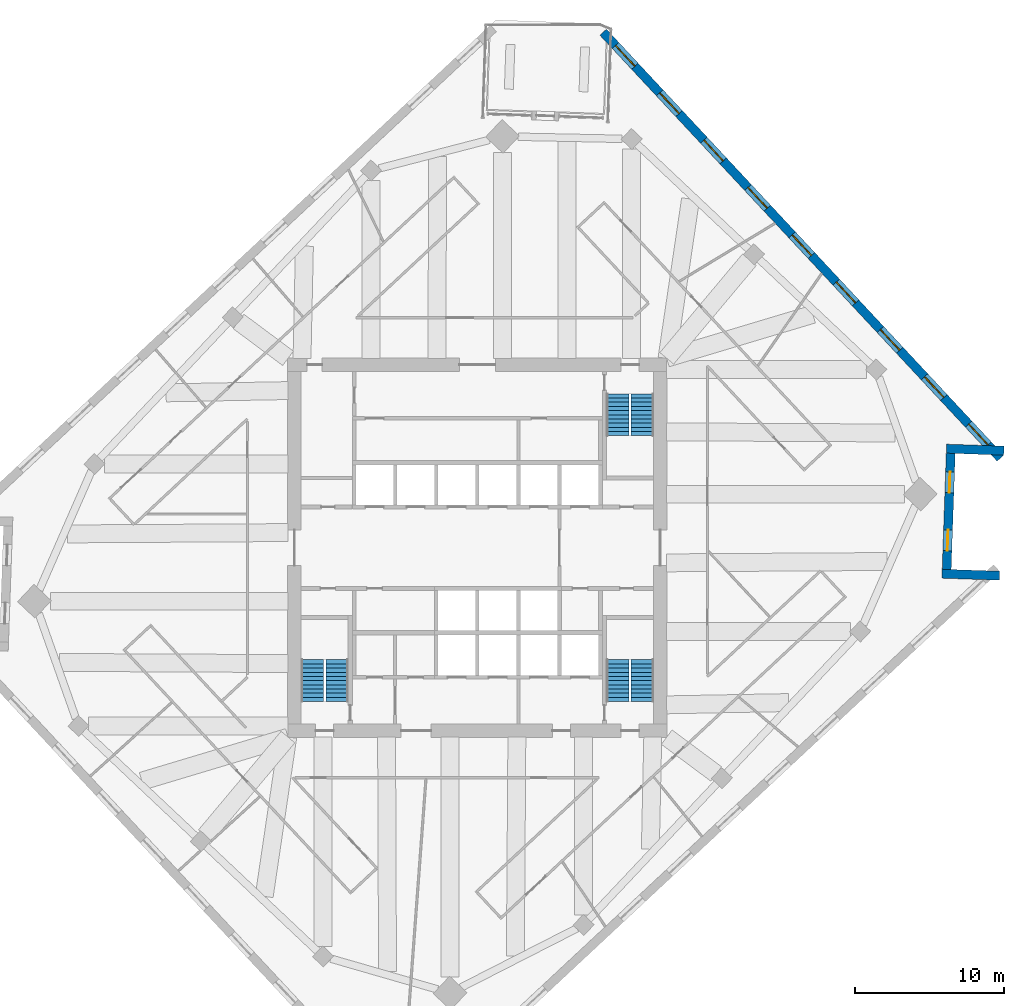
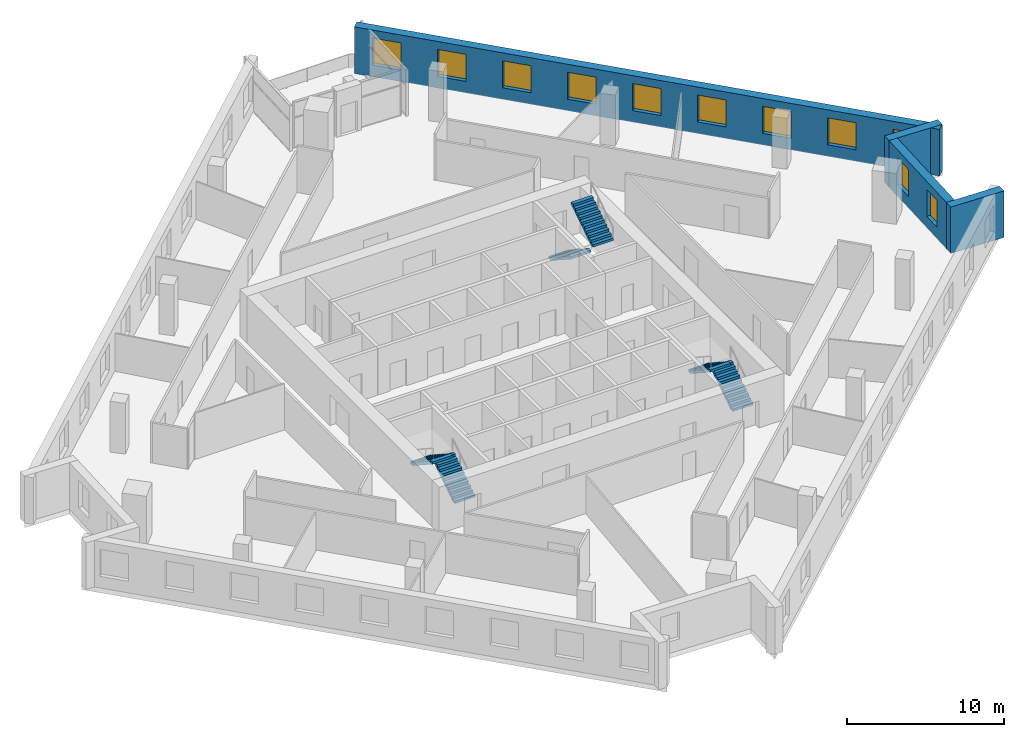
# One storey, part 8 of 10: 11 windows, 6 stair flights, 4 walls, 11 openings, 3 elements without a shape of their own.
"""IFC4 building model written with IfcOpenShell, lengths in metres."""

import ifcopenshell
import ifcopenshell.guid

model = None  # the IFC model being written
_history = None  # IfcOwnerHistory: only IFC2X3 demands one
_inside = {}  # id of a spatial element -> (the spatial element, [elements in it])
_under = {}  # id of a project, library or spatial element -> (it, [spatial elements below it])
_declared = {}  # id of a project -> (the project, [libraries it declares])
_typed = {}  # id of a type object -> (the type object, [elements of that type])
_made_of = {}  # id of a material, layer set ... -> (it, [elements and type objects made of it])


def new_model(schema):
    """Start an empty IFC model of exactly this schema.

    Asked for "IFC4X3", IfcOpenShell would pick the latest addendum, in which some entities
    have other attributes; the version numbers below select the first issue.
    IFC2X3 requires an IfcOwnerHistory on every rooted entity: one is made here for all.
    """
    global model, _history
    if schema == "IFC4X3":
        model = ifcopenshell.file(schema_version=(4, 3, 0, 0))
    else:
        model = ifcopenshell.file(schema=schema)
    _inside.clear()
    _under.clear()
    _declared.clear()
    _typed.clear()
    _made_of.clear()
    _history = None
    if model.schema == "IFC2X3":
        org = make("IfcOrganization", Name="unknown")
        user = make(
            "IfcPersonAndOrganization",
            ThePerson=make("IfcPerson", FamilyName="unknown"),
            TheOrganization=org,
        )
        app = make(
            "IfcApplication",
            ApplicationDeveloper=org,
            Version="unknown",
            ApplicationFullName="unknown",
            ApplicationIdentifier="unknown",
        )
        _history = make(
            "IfcOwnerHistory",
            OwningUser=user,
            OwningApplication=app,
            ChangeAction="ADDED",
            CreationDate=0,
        )
    return model


def make(cls, **values):
    """One entity of the class cls with the attributes given. An attribute that is None is left unset."""
    return model.create_entity(
        cls, **{name: value for name, value in values.items() if value is not None}
    )


def rooted(cls, **values):
    """An entity with a GlobalId (a new one), such as an element, a storey or a relation."""
    return make(cls, GlobalId=ifcopenshell.guid.new(), OwnerHistory=_history, **values)


def si_unit(unit_type, name, prefix=None):
    """IfcSIUnit, for example si_unit("LENGTHUNIT", "METRE", prefix="MILLI")."""
    return make("IfcSIUnit", UnitType=unit_type, Prefix=prefix, Name=name)


def assignment(units):
    """IfcUnitAssignment: the units of a project."""
    return None if units is None else make("IfcUnitAssignment", Units=units)


def point(xyz):
    """IfcCartesianPoint."""
    return None if xyz is None else make("IfcCartesianPoint", Coordinates=xyz)


def direction(xyz):
    """IfcDirection."""
    return None if xyz is None else make("IfcDirection", DirectionRatios=xyz)


def frame(location, z_axis=None, x_axis=None):
    """IfcAxis2Placement3D, a coordinate frame: its origin and axes. An axis left out is left unset."""
    return make(
        "IfcAxis2Placement3D",
        Location=point(location),
        Axis=direction(z_axis),
        RefDirection=direction(x_axis),
    )


def frame_2d(location, x_axis=None):
    """IfcAxis2Placement2D, a coordinate frame in the plane: its origin and x axis."""
    return make(
        "IfcAxis2Placement2D", Location=point(location), RefDirection=direction(x_axis)
    )


def origin():
    """The frame at (0, 0, 0) with its axes left unset."""
    return frame((0.0, 0.0, 0.0))


def place(relative_to, where):
    """IfcLocalPlacement: puts the frame where relative to a parent placement (None: the world)."""
    return make(
        "IfcLocalPlacement", PlacementRelTo=relative_to, RelativePlacement=where
    )


def context(
    kind, dimensions, precision=None, world=None, true_north=None, identifier=None
):
    """IfcGeometricRepresentationContext, for example the 3D "Model" context."""
    return make(
        "IfcGeometricRepresentationContext",
        ContextIdentifier=identifier,
        ContextType=kind,
        CoordinateSpaceDimension=dimensions,
        Precision=precision,
        WorldCoordinateSystem=world,
        TrueNorth=true_north,
    )


def subcontext(parent, identifier, kind, view, scale=None):
    """IfcGeometricRepresentationSubContext, for example "Body" below "Model"."""
    return make(
        "IfcGeometricRepresentationSubContext",
        ContextIdentifier=identifier,
        ContextType=kind,
        ParentContext=parent,
        TargetScale=scale,
        TargetView=view,
    )


def project(units=None, contexts=None):
    """IfcProject with its units and contexts."""
    return rooted(
        "IfcProject",
        Name="project",
        RepresentationContexts=contexts,
        UnitsInContext=assignment(units),
    )


def spatial(cls, under=None, at=None, **own):
    """A site, building, storey or space (cls), placed at a placement, below another one or the project."""
    s = rooted(cls, ObjectPlacement=at, **own)
    if under is not None:
        _under.setdefault(under.id(), (under, []))[1].append(s)
    return s


def polyline(points):
    """IfcPolyline through the points."""
    return make("IfcPolyline", Points=[point(p) for p in points])


def profile(cls, at=None, kind="AREA", **sizes):
    """A parametric profile (cls). Its sizes go by their IFC names, for example OverallWidth=200.0."""
    return make(cls, ProfileType=kind, Position=at, **sizes)


def rectangle(**sizes):
    """IfcRectangleProfileDef."""
    return profile("IfcRectangleProfileDef", **sizes)


def outline(outer, holes=None, kind="AREA"):
    """IfcArbitraryClosedProfileDef: a profile drawn as a closed curve; with holes, ...WithVoids."""
    if holes is None:
        return make("IfcArbitraryClosedProfileDef", ProfileType=kind, OuterCurve=outer)
    return make(
        "IfcArbitraryProfileDefWithVoids",
        ProfileType=kind,
        OuterCurve=outer,
        InnerCurves=holes,
    )


def extrude(swept, where, along, depth):
    """IfcExtrudedAreaSolid: the profile swept, set in the frame where, extruded along a direction by depth."""
    return make(
        "IfcExtrudedAreaSolid",
        SweptArea=swept,
        Position=where,
        ExtrudedDirection=direction(along),
        Depth=depth,
    )


def shape(context_of_items, identifier, shape_type, items):
    """IfcShapeRepresentation: the items that make up one representation, for example the "Body"."""
    return make(
        "IfcShapeRepresentation",
        ContextOfItems=context_of_items,
        RepresentationIdentifier=identifier,
        RepresentationType=shape_type,
        Items=items,
    )


def material(Name=None, Category=None):
    """IfcMaterial."""
    return make("IfcMaterial", Name=Name, Category=Category)


def layer(
    of_material, thickness, ventilated=None, Name=None, Category=None, Priority=None
):
    """IfcMaterialLayer: one layer of a wall or slab, of a material (None: an air gap)."""
    return make(
        "IfcMaterialLayer",
        Material=of_material,
        LayerThickness=thickness,
        IsVentilated=ventilated,
        Name=Name,
        Category=Category,
        Priority=Priority,
    )


def layer_set(layers, Name=None):
    """IfcMaterialLayerSet."""
    return make("IfcMaterialLayerSet", MaterialLayers=layers, LayerSetName=Name)


def made_of(thing, what):
    """Note that an element or type object is made of a material, layer set ...; save() writes the relation."""
    if what is not None:
        _made_of.setdefault(what.id(), (what, []))[1].append(thing)
    return thing


def type_object(cls, material=None, **own):
    """A type object (cls), such as IfcWallType, which elements share."""
    return made_of(rooted(cls, **own), material)


def element(
    cls,
    number,
    at=None,
    inside=None,
    cuts=None,
    type_object=None,
    material=None,
    context=None,
    identifier="Body",
    shape_type=None,
    held_by="IfcProductDefinitionShape",
    body=None,
    shapes=None,
    **own,
):
    """One element of the class cls, such as IfcWall. Its Tag is "e" and its number.

    at: its placement. inside: the storey or other place that contains it. cuts: it is an
    opening in that element (IfcRelVoidsElement). A single representation is given by context,
    identifier, shape_type and body (its items); several are given by shapes. held_by: the class
    of the entity that holds the representations. save() writes the other relations.
    """
    e = rooted(cls, Tag="e%d" % number, ObjectPlacement=at, **own)
    if body is not None:
        shapes = [shape(context, identifier, shape_type, body)]
    if shapes is not None:
        e.Representation = make(held_by, Representations=shapes)
    if inside is not None:
        _inside.setdefault(inside.id(), (inside, []))[1].append(e)
    if cuts is not None:
        rooted(
            "IfcRelVoidsElement", RelatingBuildingElement=cuts, RelatedOpeningElement=e
        )
    if type_object is not None:
        _typed.setdefault(type_object.id(), (type_object, []))[1].append(e)
    return made_of(e, material)


def fill(opening, filler):
    """IfcRelFillsElement: the door or window that sits in an opening."""
    return rooted(
        "IfcRelFillsElement",
        RelatingOpeningElement=opening,
        RelatedBuildingElement=filler,
    )


def aggregate(whole, parts):
    """IfcRelAggregates: a whole, such as a stair, and the parts it consists of."""
    return rooted("IfcRelAggregates", RelatingObject=whole, RelatedObjects=parts)


def save(model, path):
    """Write the relations noted so far, then the file.

    IfcRelAggregates (storeys below a building ...), IfcRelContainedInSpatialStructure (elements
    in a storey), IfcRelDefinesByType, IfcRelAssociatesMaterial and IfcRelDeclares: one each for
    every whole, place, type object, material and project.
    """
    for whole, parts in _under.values():
        aggregate(whole, parts)
    for where, things in _inside.values():
        rooted(
            "IfcRelContainedInSpatialStructure",
            RelatedElements=things,
            RelatingStructure=where,
        )
    for kind, things in _typed.values():
        rooted("IfcRelDefinesByType", RelatedObjects=things, RelatingType=kind)
    for what, things in _made_of.values():
        rooted("IfcRelAssociatesMaterial", RelatedObjects=things, RelatingMaterial=what)
    for by, libraries in _declared.values():
        rooted("IfcRelDeclares", RelatingContext=by, RelatedDefinitions=libraries)
    model.write(path)


model = new_model("IFC4")

# Units and contexts
model_context = context("Model", 3, precision=1e-05, world=origin(), true_north=direction((0.0, 1.0)))
body_context = subcontext(model_context, "Body", "Model", "MODEL_VIEW")
ifc_project = project(units=[si_unit("LENGTHUNIT", "METRE"), si_unit("AREAUNIT", "SQUARE_METRE"), si_unit("VOLUMEUNIT", "CUBIC_METRE"), si_unit("PLANEANGLEUNIT", "RADIAN"), si_unit("MASSUNIT", "GRAM", prefix="KILO")], contexts=[model_context])

# Site, building, storey
site_placement = place(None, origin())
site = spatial("IfcSite", under=ifc_project, at=site_placement, CompositionType="ELEMENT")
building_placement = place(site_placement, origin())
building = spatial("IfcBuilding", under=site, at=building_placement, Name="Dilmun Exchange Tower", CompositionType="ELEMENT")
storey_placement = place(building_placement, frame((0.0, 0.0, 197.300048828125)))
storey = spatial("IfcBuildingStorey", under=building, at=storey_placement, Name="L46", CompositionType="ELEMENT", Elevation=197.300048828125)

# Wall
ifc_material_1 = material(Name="Precast concrete C50/60", Category="concrete")
ifc_layer = layer(ifc_material_1, 0.60009765625)
ifc_layer_set = layer_set([ifc_layer], Name="Precast concrete C50/60")
wall_type = type_object("IfcWallType", Name="Precast stone-clad wall 600", PredefinedType="STANDARD", material=ifc_layer_set)
wall_1_placement = place(storey_placement, frame((34.957763671875, -1.874755859375, 0.0), z_axis=(0.0, 0.0, 1.0), x_axis=(-0.999390522456, 0.034908217157, 0.0)))
element("IfcWall", 1, at=wall_1_placement, inside=storey, type_object=wall_type, Name="Facade wall L46-12", PredefinedType="STANDARD", context=body_context, shape_type="SweptSolid", body=[
    extrude(rectangle(XDim=3.8466796875, YDim=0.60009765625, at=frame_2d((1.92333984375, 0.0))), origin(), (0.0, 0.0, 1.0), 3.619873046875),
])

# Wall, openings, windows
wall_2_placement = place(storey_placement, frame((31.423828125, -1.451171875, 0.0), z_axis=(0.0, 0.0, 1.0), x_axis=(0.034903343287, 0.999390692686, 0.0)))
wall_2 = element("IfcWall", 2, at=wall_2_placement, inside=storey, type_object=wall_type, Name="Facade wall L46-13", PredefinedType="STANDARD", context=body_context, shape_type="SweptSolid", body=[
    extrude(rectangle(XDim=7.778076171875, YDim=0.60009765625, at=frame_2d((3.88916015625, 0.0))), origin(), (0.0, 0.0, 1.0), 3.619873046875),
])
opening_1_placement = place(wall_2_placement, frame((1.244384765625, 0.0, 0.89990234375)))
opening_1 = element("IfcOpeningElement", 3, at=opening_1_placement, cuts=wall_2, Name="Opening W140-210", PredefinedType="OPENING", context=body_context, shape_type="SweptSolid", body=[
    extrude(rectangle(XDim=1.39990234375, YDim=2.10009765625, at=frame_2d((0.699951171875, 1.050048828125))), frame((0.0, 0.31005859375, 0.0), z_axis=(0.0, -1.0, 0.0), x_axis=(1.0, 0.0, 0.0)), (0.0, 0.0, 1.0), 0.6201171875),
])
opening_2_placement = place(wall_2_placement, frame((5.133544921875, 0.0, 0.89990234375)))
opening_2 = element("IfcOpeningElement", 4, at=opening_2_placement, cuts=wall_2, Name="Opening W140-210", PredefinedType="OPENING", context=body_context, shape_type="SweptSolid", body=[
    extrude(rectangle(XDim=1.39990234375, YDim=2.10009765625, at=frame_2d((0.699951171875, 1.050048828125))), frame((0.0, 0.31005859375, 0.0), z_axis=(0.0, -1.0, 0.0), x_axis=(1.0, 0.0, 0.0)), (0.0, 0.0, 1.0), 0.6201171875),
])
ifc_material_2 = material(Name="Clear low-emissivity glass in aluminium frame", Category="aluminium")
window_type_1 = type_object("IfcWindowType", Name="Punched window 1400 x 2100", PartitioningType="DOUBLE_PANEL_VERTICAL", PredefinedType="WINDOW", material=ifc_material_2)
window_1_placement = place(opening_1_placement, origin())
window_1 = element("IfcWindow", 5, at=window_1_placement, inside=storey, type_object=window_type_1, Name="Window 14.1", OverallHeight=2.10009765625, OverallWidth=1.39990234375, PartitioningType="SINGLE_PANEL", PredefinedType="WINDOW", context=body_context, shape_type="SweptSolid", body=[
    extrude(rectangle(XDim=1.39990234375, YDim=2.10009765625, at=frame_2d((0.699951171875, 1.050048828125))), frame((0.0, 0.030029296875, 0.0), z_axis=(0.0, -1.0, 0.0), x_axis=(1.0, 0.0, 0.0)), (0.0, 0.0, 1.0), 0.06005859375),
])
fill(opening_1, window_1)
window_2_placement = place(opening_2_placement, origin())
window_2 = element("IfcWindow", 6, at=window_2_placement, inside=storey, type_object=window_type_1, Name="Window 14.2", OverallHeight=2.10009765625, OverallWidth=1.39990234375, PartitioningType="SINGLE_PANEL", PredefinedType="WINDOW", context=body_context, shape_type="SweptSolid", body=[
    extrude(rectangle(XDim=1.39990234375, YDim=2.10009765625, at=frame_2d((0.699951171875, 1.050048828125))), frame((0.0, 0.030029296875, 0.0), z_axis=(0.0, -1.0, 0.0), x_axis=(1.0, 0.0, 0.0)), (0.0, 0.0, 1.0), 0.06005859375),
])
fill(opening_2, window_2)

# Wall
wall_3_placement = place(storey_placement, frame((31.406005859375, 6.632568359375, 0.0), z_axis=(0.0, 0.0, 1.0), x_axis=(0.999390445106, -0.034910431553, 0.0)))
element("IfcWall", 7, at=wall_3_placement, inside=storey, type_object=wall_type, Name="Facade wall L46-14", PredefinedType="STANDARD", context=body_context, shape_type="SweptSolid", body=[
    extrude(rectangle(XDim=3.846435546875, YDim=0.60009765625, at=frame_2d((1.92333984375, 0.0))), origin(), (0.0, 0.0, 1.0), 3.619873046875),
])

# Wall, openings, windows
wall_4_placement = place(storey_placement, frame((35.020263671875, 5.993896484375, 0.0), z_axis=(0.0, 0.0, 1.0), x_axis=(-0.682002361324, 0.731349970362, 0.0)))
wall_4 = element("IfcWall", 8, at=wall_4_placement, inside=storey, type_object=wall_type, Name="Facade wall L46-15", PredefinedType="STANDARD", context=body_context, shape_type="SweptSolid", body=[
    extrude(rectangle(XDim=39.0, YDim=0.60009765625, at=frame_2d((19.5, 0.0))), origin(), (0.0, 0.0, 1.0), 3.619873046875),
])
opening_3_placement = place(wall_4_placement, frame((1.216796875, 0.0, 0.89990234375)))
opening_3 = element("IfcOpeningElement", 9, at=opening_3_placement, cuts=wall_4, Name="Opening W190-210", PredefinedType="OPENING", context=body_context, shape_type="SweptSolid", body=[
    extrude(rectangle(XDim=1.89990234375, YDim=2.10009765625, at=frame_2d((0.949951171875, 1.050048828125))), frame((0.0, 0.31005859375, 0.0), z_axis=(0.0, -1.0, 0.0), x_axis=(1.0, 0.0, 0.0)), (0.0, 0.0, 1.0), 0.6201171875),
])
opening_4_placement = place(wall_4_placement, frame((5.550048828125, 0.0, 0.89990234375)))
opening_4 = element("IfcOpeningElement", 10, at=opening_4_placement, cuts=wall_4, Name="Opening W190-210", PredefinedType="OPENING", context=body_context, shape_type="SweptSolid", body=[
    extrude(rectangle(XDim=1.89990234375, YDim=2.10009765625, at=frame_2d((0.949951171875, 1.050048828125))), frame((0.0, 0.31005859375, 0.0), z_axis=(0.0, -1.0, 0.0), x_axis=(1.0, 0.0, 0.0)), (0.0, 0.0, 1.0), 0.6201171875),
])
opening_5_placement = place(wall_4_placement, frame((9.88330078125, 0.0, 0.89990234375)))
opening_5 = element("IfcOpeningElement", 11, at=opening_5_placement, cuts=wall_4, Name="Opening W190-210", PredefinedType="OPENING", context=body_context, shape_type="SweptSolid", body=[
    extrude(rectangle(XDim=1.89990234375, YDim=2.10009765625, at=frame_2d((0.949951171875, 1.050048828125))), frame((0.0, 0.31005859375, 0.0), z_axis=(0.0, -1.0, 0.0), x_axis=(1.0, 0.0, 0.0)), (0.0, 0.0, 1.0), 0.6201171875),
])
opening_6_placement = place(wall_4_placement, frame((14.216796875, 0.0, 0.89990234375)))
opening_6 = element("IfcOpeningElement", 12, at=opening_6_placement, cuts=wall_4, Name="Opening W190-210", PredefinedType="OPENING", context=body_context, shape_type="SweptSolid", body=[
    extrude(rectangle(XDim=1.89990234375, YDim=2.10009765625, at=frame_2d((0.949951171875, 1.050048828125))), frame((0.0, 0.31005859375, 0.0), z_axis=(0.0, -1.0, 0.0), x_axis=(1.0, 0.0, 0.0)), (0.0, 0.0, 1.0), 0.6201171875),
])
opening_7_placement = place(wall_4_placement, frame((18.550048828125, 0.0, 0.89990234375)))
opening_7 = element("IfcOpeningElement", 13, at=opening_7_placement, cuts=wall_4, Name="Opening W190-210", PredefinedType="OPENING", context=body_context, shape_type="SweptSolid", body=[
    extrude(rectangle(XDim=1.89990234375, YDim=2.10009765625, at=frame_2d((0.949951171875, 1.050048828125))), frame((0.0, 0.31005859375, 0.0), z_axis=(0.0, -1.0, 0.0), x_axis=(1.0, 0.0, 0.0)), (0.0, 0.0, 1.0), 0.6201171875),
])
opening_8_placement = place(wall_4_placement, frame((22.88330078125, 0.0, 0.89990234375)))
opening_8 = element("IfcOpeningElement", 14, at=opening_8_placement, cuts=wall_4, Name="Opening W190-210", PredefinedType="OPENING", context=body_context, shape_type="SweptSolid", body=[
    extrude(rectangle(XDim=1.89990234375, YDim=2.10009765625, at=frame_2d((0.949951171875, 1.050048828125))), frame((0.0, 0.31005859375, 0.0), z_axis=(0.0, -1.0, 0.0), x_axis=(1.0, 0.0, 0.0)), (0.0, 0.0, 1.0), 0.6201171875),
])
opening_9_placement = place(wall_4_placement, frame((27.216796875, 0.0, 0.89990234375)))
opening_9 = element("IfcOpeningElement", 15, at=opening_9_placement, cuts=wall_4, Name="Opening W190-210", PredefinedType="OPENING", context=body_context, shape_type="SweptSolid", body=[
    extrude(rectangle(XDim=1.89990234375, YDim=2.10009765625, at=frame_2d((0.949951171875, 1.050048828125))), frame((0.0, 0.31005859375, 0.0), z_axis=(0.0, -1.0, 0.0), x_axis=(1.0, 0.0, 0.0)), (0.0, 0.0, 1.0), 0.6201171875),
])
opening_10_placement = place(wall_4_placement, frame((31.550048828125, 0.0, 0.89990234375)))
opening_10 = element("IfcOpeningElement", 16, at=opening_10_placement, cuts=wall_4, Name="Opening W190-210", PredefinedType="OPENING", context=body_context, shape_type="SweptSolid", body=[
    extrude(rectangle(XDim=1.89990234375, YDim=2.10009765625, at=frame_2d((0.949951171875, 1.050048828125))), frame((0.0, 0.31005859375, 0.0), z_axis=(0.0, -1.0, 0.0), x_axis=(1.0, 0.0, 0.0)), (0.0, 0.0, 1.0), 0.6201171875),
])
opening_11_placement = place(wall_4_placement, frame((35.88330078125, 0.0, 0.89990234375)))
opening_11 = element("IfcOpeningElement", 17, at=opening_11_placement, cuts=wall_4, Name="Opening W190-210", PredefinedType="OPENING", context=body_context, shape_type="SweptSolid", body=[
    extrude(rectangle(XDim=1.89990234375, YDim=2.10009765625, at=frame_2d((0.949951171875, 1.050048828125))), frame((0.0, 0.31005859375, 0.0), z_axis=(0.0, -1.0, 0.0), x_axis=(1.0, 0.0, 0.0)), (0.0, 0.0, 1.0), 0.6201171875),
])
window_type_2 = type_object("IfcWindowType", Name="Punched window 1900 x 2100", PartitioningType="DOUBLE_PANEL_VERTICAL", PredefinedType="WINDOW", material=ifc_material_2)
window_3_placement = place(opening_3_placement, origin())
window_3 = element("IfcWindow", 18, at=window_3_placement, inside=storey, type_object=window_type_2, Name="Window 16.1", OverallHeight=2.10009765625, OverallWidth=1.89990234375, PartitioningType="SINGLE_PANEL", PredefinedType="WINDOW", context=body_context, shape_type="SweptSolid", body=[
    extrude(rectangle(XDim=1.89990234375, YDim=2.10009765625, at=frame_2d((0.949951171875, 1.050048828125))), frame((0.0, 0.030029296875, 0.0), z_axis=(0.0, -1.0, 0.0), x_axis=(1.0, 0.0, 0.0)), (0.0, 0.0, 1.0), 0.06005859375),
])
fill(opening_3, window_3)
window_4_placement = place(opening_4_placement, origin())
window_4 = element("IfcWindow", 19, at=window_4_placement, inside=storey, type_object=window_type_2, Name="Window 16.2", OverallHeight=2.10009765625, OverallWidth=1.89990234375, PartitioningType="SINGLE_PANEL", PredefinedType="WINDOW", context=body_context, shape_type="SweptSolid", body=[
    extrude(rectangle(XDim=1.89990234375, YDim=2.10009765625, at=frame_2d((0.949951171875, 1.050048828125))), frame((0.0, 0.030029296875, 0.0), z_axis=(0.0, -1.0, 0.0), x_axis=(1.0, 0.0, 0.0)), (0.0, 0.0, 1.0), 0.06005859375),
])
fill(opening_4, window_4)
window_5_placement = place(opening_5_placement, origin())
window_5 = element("IfcWindow", 20, at=window_5_placement, inside=storey, type_object=window_type_2, Name="Window 16.3", OverallHeight=2.10009765625, OverallWidth=1.89990234375, PartitioningType="SINGLE_PANEL", PredefinedType="WINDOW", context=body_context, shape_type="SweptSolid", body=[
    extrude(rectangle(XDim=1.89990234375, YDim=2.10009765625, at=frame_2d((0.949951171875, 1.050048828125))), frame((0.0, 0.030029296875, 0.0), z_axis=(0.0, -1.0, 0.0), x_axis=(1.0, 0.0, 0.0)), (0.0, 0.0, 1.0), 0.06005859375),
])
fill(opening_5, window_5)
window_6_placement = place(opening_6_placement, origin())
window_6 = element("IfcWindow", 21, at=window_6_placement, inside=storey, type_object=window_type_2, Name="Window 16.4", OverallHeight=2.10009765625, OverallWidth=1.89990234375, PartitioningType="SINGLE_PANEL", PredefinedType="WINDOW", context=body_context, shape_type="SweptSolid", body=[
    extrude(rectangle(XDim=1.89990234375, YDim=2.10009765625, at=frame_2d((0.949951171875, 1.050048828125))), frame((0.0, 0.030029296875, 0.0), z_axis=(0.0, -1.0, 0.0), x_axis=(1.0, 0.0, 0.0)), (0.0, 0.0, 1.0), 0.06005859375),
])
fill(opening_6, window_6)
window_7_placement = place(opening_7_placement, origin())
window_7 = element("IfcWindow", 22, at=window_7_placement, inside=storey, type_object=window_type_2, Name="Window 16.5", OverallHeight=2.10009765625, OverallWidth=1.89990234375, PartitioningType="SINGLE_PANEL", PredefinedType="WINDOW", context=body_context, shape_type="SweptSolid", body=[
    extrude(rectangle(XDim=1.89990234375, YDim=2.10009765625, at=frame_2d((0.949951171875, 1.050048828125))), frame((0.0, 0.030029296875, 0.0), z_axis=(0.0, -1.0, 0.0), x_axis=(1.0, 0.0, 0.0)), (0.0, 0.0, 1.0), 0.06005859375),
])
fill(opening_7, window_7)
window_8_placement = place(opening_8_placement, origin())
window_8 = element("IfcWindow", 23, at=window_8_placement, inside=storey, type_object=window_type_2, Name="Window 16.6", OverallHeight=2.10009765625, OverallWidth=1.89990234375, PartitioningType="SINGLE_PANEL", PredefinedType="WINDOW", context=body_context, shape_type="SweptSolid", body=[
    extrude(rectangle(XDim=1.89990234375, YDim=2.10009765625, at=frame_2d((0.949951171875, 1.050048828125))), frame((0.0, 0.030029296875, 0.0), z_axis=(0.0, -1.0, 0.0), x_axis=(1.0, 0.0, 0.0)), (0.0, 0.0, 1.0), 0.06005859375),
])
fill(opening_8, window_8)
window_9_placement = place(opening_9_placement, origin())
window_9 = element("IfcWindow", 24, at=window_9_placement, inside=storey, type_object=window_type_2, Name="Window 16.7", OverallHeight=2.10009765625, OverallWidth=1.89990234375, PartitioningType="SINGLE_PANEL", PredefinedType="WINDOW", context=body_context, shape_type="SweptSolid", body=[
    extrude(rectangle(XDim=1.89990234375, YDim=2.10009765625, at=frame_2d((0.949951171875, 1.050048828125))), frame((0.0, 0.030029296875, 0.0), z_axis=(0.0, -1.0, 0.0), x_axis=(1.0, 0.0, 0.0)), (0.0, 0.0, 1.0), 0.06005859375),
])
fill(opening_9, window_9)
window_10_placement = place(opening_10_placement, origin())
window_10 = element("IfcWindow", 25, at=window_10_placement, inside=storey, type_object=window_type_2, Name="Window 16.8", OverallHeight=2.10009765625, OverallWidth=1.89990234375, PartitioningType="SINGLE_PANEL", PredefinedType="WINDOW", context=body_context, shape_type="SweptSolid", body=[
    extrude(rectangle(XDim=1.89990234375, YDim=2.10009765625, at=frame_2d((0.949951171875, 1.050048828125))), frame((0.0, 0.030029296875, 0.0), z_axis=(0.0, -1.0, 0.0), x_axis=(1.0, 0.0, 0.0)), (0.0, 0.0, 1.0), 0.06005859375),
])
fill(opening_10, window_10)
window_11_placement = place(opening_11_placement, origin())
window_11 = element("IfcWindow", 26, at=window_11_placement, inside=storey, type_object=window_type_2, Name="Window 16.9", OverallHeight=2.10009765625, OverallWidth=1.89990234375, PartitioningType="SINGLE_PANEL", PredefinedType="WINDOW", context=body_context, shape_type="SweptSolid", body=[
    extrude(rectangle(XDim=1.89990234375, YDim=2.10009765625, at=frame_2d((0.949951171875, 1.050048828125))), frame((0.0, 0.030029296875, 0.0), z_axis=(0.0, -1.0, 0.0), x_axis=(1.0, 0.0, 0.0)), (0.0, 0.0, 1.0), 0.06005859375),
])
fill(opening_11, window_11)

# Stair, stair flights
ifc_material_3 = material(Name="Concrete C40/50", Category="concrete")
stair_type = type_object("IfcStairType", Name="Exit stair 1500 half-turn", PredefinedType="HALF_TURN_STAIR", material=ifc_material_3)
stair_1_placement = place(storey_placement, origin())
stair_1 = element("IfcStair", 27, at=stair_1_placement, inside=storey, type_object=stair_type, Name="L46 Protected exit stair ST1", PredefinedType="HALF_TURN_STAIR")
stair_flight_type = type_object("IfcStairFlightType", Name="Exit stair flight 1500", PredefinedType="STRAIGHT", material=ifc_material_3)
stair_flight_1_placement = place(storey_placement, frame((9.39990234375, 10.300048828125, 0.0), z_axis=(0.0, 0.0, 1.0), x_axis=(0.0, -1.0, 0.0)))
stair_flight_1 = element("IfcStairFlight", 28, at=stair_flight_1_placement, type_object=stair_flight_type, Name="ST1 flight 1", NumberOfRisers=11, NumberOfTreads=10, PredefinedType="STRAIGHT", RiserHeight=0.181818182, TreadLength=0.28, context=body_context, shape_type="SweptSolid", body=[
    extrude(outline(polyline([(0.0, 0.0), (0.0, 0.181884765625), (0.280029296875, 0.181884765625), (0.280029296875, 0.363525390625), (0.56005859375, 0.363525390625), (0.56005859375, 0.54541015625), (0.840087890625, 0.54541015625), (0.840087890625, 0.727294921875), (1.1201171875, 0.727294921875), (1.1201171875, 0.9091796875), (1.39990234375, 0.9091796875), (1.39990234375, 1.0908203125), (1.679931640625, 1.0908203125), (1.679931640625, 1.272705078125), (1.9599609375, 1.272705078125), (1.9599609375, 1.45458984375), (2.239990234375, 1.45458984375), (2.239990234375, 1.636474609375), (2.52001953125, 1.636474609375), (2.52001953125, 1.818115234375), (2.800048828125, 1.818115234375), (2.800048828125, 2.0), (2.800048828125, 1.639404296875), (0.275146484375, 0.0), (0.0, 0.0)])), frame((0.0, 0.75, 0.0), z_axis=(0.0, -1.0, 0.0), x_axis=(1.0, 0.0, 0.0)), (0.0, 0.0, 1.0), 1.5),
])
stair_flight_2_placement = place(storey_placement, frame((11.050048828125, 7.5, 2.0), z_axis=(0.0, 0.0, 1.0), x_axis=(0.0, 1.0, 0.0)))
stair_flight_2 = element("IfcStairFlight", 29, at=stair_flight_2_placement, type_object=stair_flight_type, Name="ST1 flight 2", NumberOfRisers=11, NumberOfTreads=10, PredefinedType="STRAIGHT", RiserHeight=0.181818182, TreadLength=0.28, context=body_context, shape_type="SweptSolid", body=[
    extrude(outline(polyline([(0.0, 0.0), (0.0, 0.181884765625), (0.280029296875, 0.181884765625), (0.280029296875, 0.363525390625), (0.56005859375, 0.363525390625), (0.56005859375, 0.54541015625), (0.840087890625, 0.54541015625), (0.840087890625, 0.727294921875), (1.1201171875, 0.727294921875), (1.1201171875, 0.9091796875), (1.39990234375, 0.9091796875), (1.39990234375, 1.0908203125), (1.679931640625, 1.0908203125), (1.679931640625, 1.272705078125), (1.9599609375, 1.272705078125), (1.9599609375, 1.45458984375), (2.239990234375, 1.45458984375), (2.239990234375, 1.636474609375), (2.52001953125, 1.636474609375), (2.52001953125, 1.818115234375), (2.800048828125, 1.818115234375), (2.800048828125, 2.0), (2.800048828125, 1.639404296875), (0.275146484375, 0.0), (0.0, 0.0)])), frame((0.0, 0.75, 0.0), z_axis=(0.0, -1.0, 0.0), x_axis=(1.0, 0.0, 0.0)), (0.0, 0.0, 1.0), 1.5),
])
aggregate(stair_1, [stair_flight_1, stair_flight_2])

stair_2_placement = place(storey_placement, origin())
stair_2 = element("IfcStair", 30, at=stair_2_placement, inside=storey, type_object=stair_type, Name="L46 Protected exit stair ST2", PredefinedType="HALF_TURN_STAIR")
stair_flight_3_placement = place(storey_placement, frame((-9.39990234375, -10.300048828125, 0.0), z_axis=(0.0, 0.0, 1.0), x_axis=(0.0, 1.0, 0.0)))
stair_flight_3 = element("IfcStairFlight", 31, at=stair_flight_3_placement, type_object=stair_flight_type, Name="ST2 flight 1", NumberOfRisers=11, NumberOfTreads=10, PredefinedType="STRAIGHT", RiserHeight=0.181818182, TreadLength=0.28, context=body_context, shape_type="SweptSolid", body=[
    extrude(outline(polyline([(0.0, 0.0), (0.0, 0.181884765625), (0.280029296875, 0.181884765625), (0.280029296875, 0.363525390625), (0.56005859375, 0.363525390625), (0.56005859375, 0.54541015625), (0.840087890625, 0.54541015625), (0.840087890625, 0.727294921875), (1.1201171875, 0.727294921875), (1.1201171875, 0.9091796875), (1.39990234375, 0.9091796875), (1.39990234375, 1.0908203125), (1.679931640625, 1.0908203125), (1.679931640625, 1.272705078125), (1.9599609375, 1.272705078125), (1.9599609375, 1.45458984375), (2.239990234375, 1.45458984375), (2.239990234375, 1.636474609375), (2.52001953125, 1.636474609375), (2.52001953125, 1.818115234375), (2.800048828125, 1.818115234375), (2.800048828125, 2.0), (2.800048828125, 1.639404296875), (0.275146484375, 0.0), (0.0, 0.0)])), frame((0.0, 0.75, 0.0), z_axis=(0.0, -1.0, 0.0), x_axis=(1.0, 0.0, 0.0)), (0.0, 0.0, 1.0), 1.5),
])
stair_flight_4_placement = place(storey_placement, frame((-11.050048828125, -7.5, 2.0), z_axis=(0.0, 0.0, 1.0), x_axis=(0.0, -1.0, 0.0)))
stair_flight_4 = element("IfcStairFlight", 32, at=stair_flight_4_placement, type_object=stair_flight_type, Name="ST2 flight 2", NumberOfRisers=11, NumberOfTreads=10, PredefinedType="STRAIGHT", RiserHeight=0.181818182, TreadLength=0.28, context=body_context, shape_type="SweptSolid", body=[
    extrude(outline(polyline([(0.0, 0.0), (0.0, 0.181884765625), (0.280029296875, 0.181884765625), (0.280029296875, 0.363525390625), (0.56005859375, 0.363525390625), (0.56005859375, 0.54541015625), (0.840087890625, 0.54541015625), (0.840087890625, 0.727294921875), (1.1201171875, 0.727294921875), (1.1201171875, 0.9091796875), (1.39990234375, 0.9091796875), (1.39990234375, 1.0908203125), (1.679931640625, 1.0908203125), (1.679931640625, 1.272705078125), (1.9599609375, 1.272705078125), (1.9599609375, 1.45458984375), (2.239990234375, 1.45458984375), (2.239990234375, 1.636474609375), (2.52001953125, 1.636474609375), (2.52001953125, 1.818115234375), (2.800048828125, 1.818115234375), (2.800048828125, 2.0), (2.800048828125, 1.639404296875), (0.275146484375, 0.0), (0.0, 0.0)])), frame((0.0, 0.75, 0.0), z_axis=(0.0, -1.0, 0.0), x_axis=(1.0, 0.0, 0.0)), (0.0, 0.0, 1.0), 1.5),
])
aggregate(stair_2, [stair_flight_3, stair_flight_4])

stair_3_placement = place(storey_placement, origin())
stair_3 = element("IfcStair", 33, at=stair_3_placement, inside=storey, type_object=stair_type, Name="L46 Protected exit stair ST3", PredefinedType="HALF_TURN_STAIR")
stair_flight_5_placement = place(storey_placement, frame((11.050048828125, -10.300048828125, 0.0), z_axis=(0.0, 0.0, 1.0), x_axis=(0.0, 1.0, 0.0)))
stair_flight_5 = element("IfcStairFlight", 34, at=stair_flight_5_placement, type_object=stair_flight_type, Name="ST3 flight 1", NumberOfRisers=11, NumberOfTreads=10, PredefinedType="STRAIGHT", RiserHeight=0.181818182, TreadLength=0.28, context=body_context, shape_type="SweptSolid", body=[
    extrude(outline(polyline([(0.0, 0.0), (0.0, 0.181884765625), (0.280029296875, 0.181884765625), (0.280029296875, 0.363525390625), (0.56005859375, 0.363525390625), (0.56005859375, 0.54541015625), (0.840087890625, 0.54541015625), (0.840087890625, 0.727294921875), (1.1201171875, 0.727294921875), (1.1201171875, 0.9091796875), (1.39990234375, 0.9091796875), (1.39990234375, 1.0908203125), (1.679931640625, 1.0908203125), (1.679931640625, 1.272705078125), (1.9599609375, 1.272705078125), (1.9599609375, 1.45458984375), (2.239990234375, 1.45458984375), (2.239990234375, 1.636474609375), (2.52001953125, 1.636474609375), (2.52001953125, 1.818115234375), (2.800048828125, 1.818115234375), (2.800048828125, 2.0), (2.800048828125, 1.639404296875), (0.275146484375, 0.0), (0.0, 0.0)])), frame((0.0, 0.75, 0.0), z_axis=(0.0, -1.0, 0.0), x_axis=(1.0, 0.0, 0.0)), (0.0, 0.0, 1.0), 1.5),
])
stair_flight_6_placement = place(storey_placement, frame((9.39990234375, -7.5, 2.0), z_axis=(0.0, 0.0, 1.0), x_axis=(0.0, -1.0, 0.0)))
stair_flight_6 = element("IfcStairFlight", 35, at=stair_flight_6_placement, type_object=stair_flight_type, Name="ST3 flight 2", NumberOfRisers=11, NumberOfTreads=10, PredefinedType="STRAIGHT", RiserHeight=0.181818182, TreadLength=0.28, context=body_context, shape_type="SweptSolid", body=[
    extrude(outline(polyline([(0.0, 0.0), (0.0, 0.181884765625), (0.280029296875, 0.181884765625), (0.280029296875, 0.363525390625), (0.56005859375, 0.363525390625), (0.56005859375, 0.54541015625), (0.840087890625, 0.54541015625), (0.840087890625, 0.727294921875), (1.1201171875, 0.727294921875), (1.1201171875, 0.9091796875), (1.39990234375, 0.9091796875), (1.39990234375, 1.0908203125), (1.679931640625, 1.0908203125), (1.679931640625, 1.272705078125), (1.9599609375, 1.272705078125), (1.9599609375, 1.45458984375), (2.239990234375, 1.45458984375), (2.239990234375, 1.636474609375), (2.52001953125, 1.636474609375), (2.52001953125, 1.818115234375), (2.800048828125, 1.818115234375), (2.800048828125, 2.0), (2.800048828125, 1.639404296875), (0.275146484375, 0.0), (0.0, 0.0)])), frame((0.0, 0.75, 0.0), z_axis=(0.0, -1.0, 0.0), x_axis=(1.0, 0.0, 0.0)), (0.0, 0.0, 1.0), 1.5),
])
aggregate(stair_3, [stair_flight_5, stair_flight_6])

save(model, "model.ifc")
